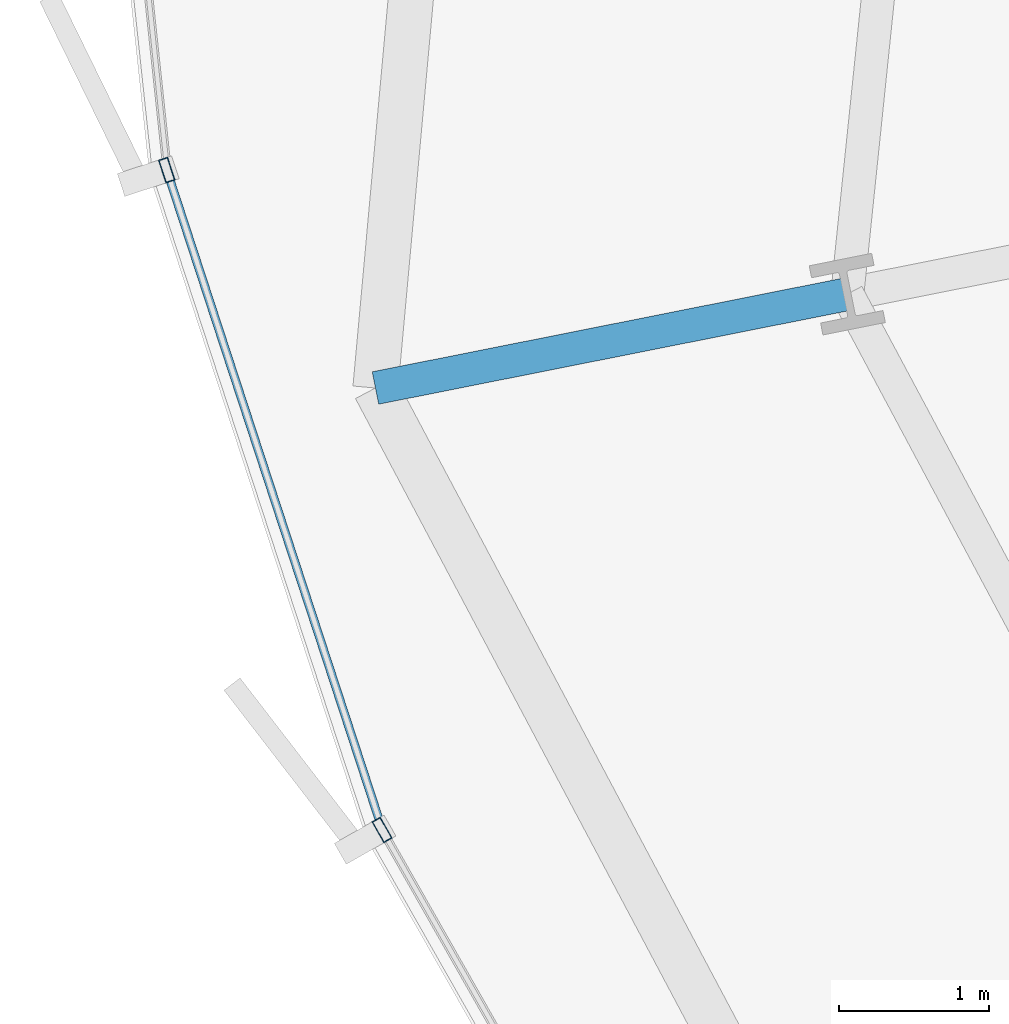
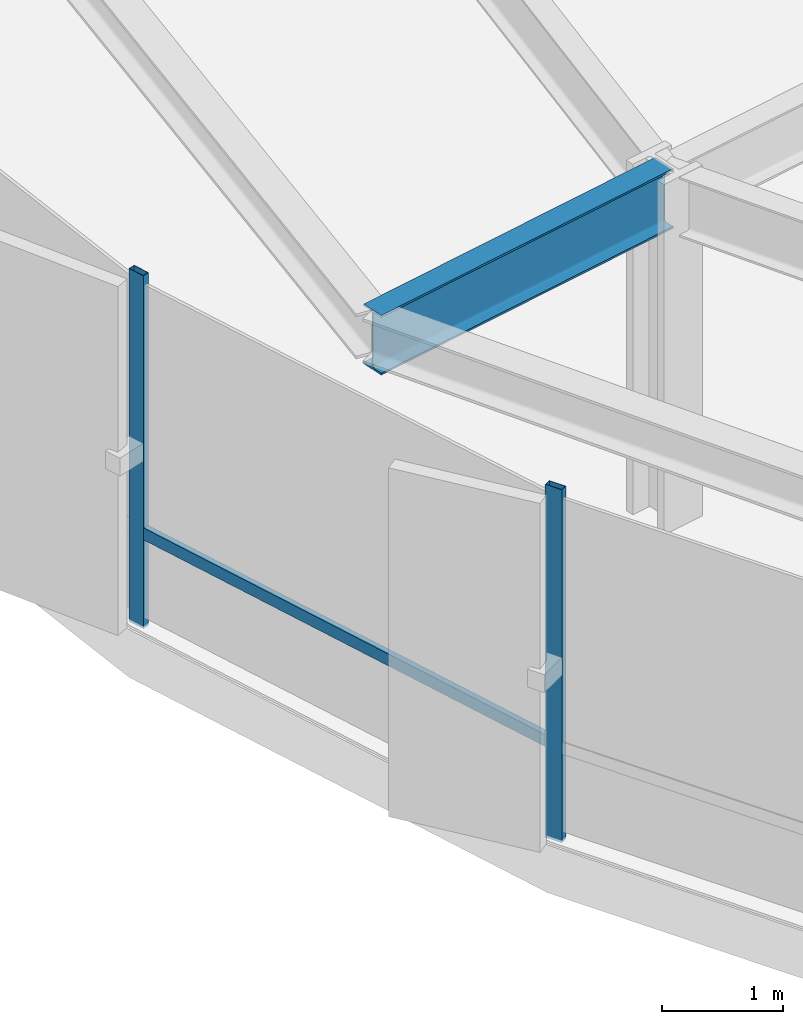
# One storey, part 5 of 38: 3 members, 1 beam, 1 element without a shape of its own.
"""IFC4 building model written with IfcOpenShell, lengths in metres."""

from ifc_helpers import new_model, si_unit, direction, frame, origin, origin_2d, place, context, subcontext, project, spatial, hollow_rectangle, i_section, extrude, source, transform, mapped, material, layer, layer_set, material_profile, profile_set, type_object, element, aggregate, save


model = new_model("IFC4")

# Units and contexts
model_context = context("Model", 3, precision=1e-05, world=origin(), true_north=direction((0.0, 1.0)))
body_context = subcontext(model_context, "Body", "Model", "MODEL_VIEW")
ifc_project = project(units=[si_unit("LENGTHUNIT", "METRE"), si_unit("AREAUNIT", "SQUARE_METRE"), si_unit("VOLUMEUNIT", "CUBIC_METRE"), si_unit("PLANEANGLEUNIT", "RADIAN"), si_unit("MASSUNIT", "GRAM", prefix="KILO"), si_unit("THERMODYNAMICTEMPERATUREUNIT", "KELVIN")], contexts=[model_context])

# Site, building, storey
site_placement = place(None, origin())
site = spatial("IfcSite", under=ifc_project, at=site_placement, CompositionType="ELEMENT")
building_placement = place(site_placement, origin())
building = spatial("IfcBuilding", under=site, at=building_placement, Name="Kethvar Cultural Tower", CompositionType="ELEMENT")
storey_placement = place(building_placement, frame((0.0, 0.0, 29.60009765625)))
storey = spatial("IfcBuildingStorey", under=building, at=storey_placement, Name="L06", CompositionType="ELEMENT", Elevation=29.60009765625)

# Beam
ifc_material_1 = material(Name="Steel S355J2", Category="steel")
ifc_material_profile_1 = material_profile(ifc_material_1, i_section(OverallWidth=0.219970703125, OverallDepth=0.60009765625, WebThickness=0.011962890625, FlangeThickness=0.01904296875, FilletRadius=0.02392578125, at=origin_2d()), Name="Steel S355J2 — IPE600")
ifc_profile_set_1 = profile_set([ifc_material_profile_1], Name="Steel S355J2 — IPE600")
beam_type = type_object("IfcBeamType", Name="BM-IPE600", PredefinedType="BEAM", material=ifc_profile_set_1)
shared_shape_1 = source(origin(), body_context, "Body", "SweptSolid", [
    extrude(i_section(OverallWidth=0.219970703125, OverallDepth=0.60009765625, WebThickness=0.011962890625, FlangeThickness=0.01904296875, FilletRadius=0.02392578125, at=origin_2d()), origin(), (0.0, 0.0, 1.0), 3.199951171875),
])
beam_placement = place(storey_placement, frame((19.9658203125, 22.46240234375, 3.247802734375), z_axis=(-0.980785550224, -0.195088965533, 0.0), x_axis=(0.195088965533, -0.980785550224, 0.0)))
element("IfcBeam", 1, at=beam_placement, inside=storey, type_object=beam_type, Name="L06 Perimeter Cantilever Beam RC-09", PredefinedType="BEAM", context=body_context, shape_type="MappedRepresentation", body=[
    mapped(shared_shape_1, transform((0.0, 0.0, 0.0), scale=1.0)),
])

# Curtain wall, members
ifc_material_2 = material(Name="Aluminium 6063-T6", Category="aluminium")
ifc_layer = layer(ifc_material_2, 0.179931640625, Name="Aluminium 6063-T6", Category="aluminium")
ifc_layer_set = layer_set([ifc_layer], Name="Aluminium 6063-T6 (180 mm)")
curtain_wall_type = type_object("IfcCurtainWallType", Name="CW-SYS-02-Z1", PredefinedType="NOTDEFINED", material=ifc_layer_set)
curtain_wall_placement = place(storey_placement, origin())
curtain_wall = element("IfcCurtainWall", 2, at=curtain_wall_placement, inside=storey, type_object=curtain_wall_type, Name="L06 Curtain Wall Run 04", PredefinedType="NOTDEFINED")
ifc_material_profile_2 = material_profile(ifc_material_2, hollow_rectangle(XDim=0.06494140625, YDim=0.159912109375, WallThickness=0.0048828125, at=origin_2d()), Name="Aluminium 6063-T6 — RHS160x65x5")
ifc_profile_set_2 = profile_set([ifc_material_profile_2], Name="Aluminium 6063-T6 — RHS160x65x5")
member_type_1 = type_object("IfcMemberType", Name="CW-SYS-02-Z1-MUL", PredefinedType="MULLION", material=ifc_profile_set_2)
shared_shape_2 = source(origin(), body_context, "Body", "SweptSolid", [
    extrude(hollow_rectangle(XDim=0.06494140625, YDim=0.159912109375, WallThickness=0.0048828125, at=origin_2d()), origin(), (0.0, 0.0, 1.0), 3.5498046875),
])
member_1_placement = place(storey_placement, frame((15.439697265625, 23.28759765625, 0.0), z_axis=(0.0, 0.0, 1.0), x_axis=(0.950510309156, 0.310693019213, 0.0)))
member_1 = element("IfcMember", 3, at=member_1_placement, type_object=member_type_1, Name="CW-L06-R04 Mullion 2", PredefinedType="MULLION", context=body_context, shape_type="MappedRepresentation", body=[
    mapped(shared_shape_2, transform((0.0, 0.0, 0.0), scale=1.0)),
])
member_2_placement = place(storey_placement, frame((16.87158203125, 18.8984375, 0.0), z_axis=(0.0, 0.0, 1.0), x_axis=(0.869218924729, 0.494427407101, 0.0)))
member_2 = element("IfcMember", 4, at=member_2_placement, type_object=member_type_1, Name="CW-L06-R04 Mullion 3", PredefinedType="MULLION", context=body_context, shape_type="MappedRepresentation", body=[
    mapped(shared_shape_2, transform((0.0, 0.0, 0.0), scale=1.0)),
])
ifc_material_profile_3 = material_profile(ifc_material_2, hollow_rectangle(XDim=0.054931640625, YDim=0.1201171875, WallThickness=0.00390625, at=origin_2d()), Name="Aluminium 6063-T6 — RHS120x55x4")
ifc_profile_set_3 = profile_set([ifc_material_profile_3], Name="Aluminium 6063-T6 — RHS120x55x4")
member_type_2 = type_object("IfcMemberType", Name="CW-SYS-02-Z1-TRN", PredefinedType="USERDEFINED", material=ifc_profile_set_3)
shared_shape_3 = source(origin(), body_context, "Body", "SweptSolid", [
    extrude(hollow_rectangle(XDim=0.054931640625, YDim=0.1201171875, WallThickness=0.00390625, at=origin_2d()), origin(), (0.0, 0.0, 1.0), 4.54736328125),
])
member_3_placement = place(storey_placement, frame((15.4541015625, 23.2431640625, 0.949951171875), z_axis=(0.310697813498, -0.950508742036, 0.0), x_axis=(0.950508742036, 0.310697813498, 0.0)))
member_3 = element("IfcMember", 5, at=member_3_placement, type_object=member_type_2, Name="CW-L06-R04 Transom 2", ObjectType="TRANSOM", PredefinedType="USERDEFINED", context=body_context, shape_type="MappedRepresentation", body=[
    mapped(shared_shape_3, transform((0.0, 0.0, 0.0), scale=1.0)),
])
aggregate(curtain_wall, [member_1, member_2, member_3])

save(model, "model.ifc")
